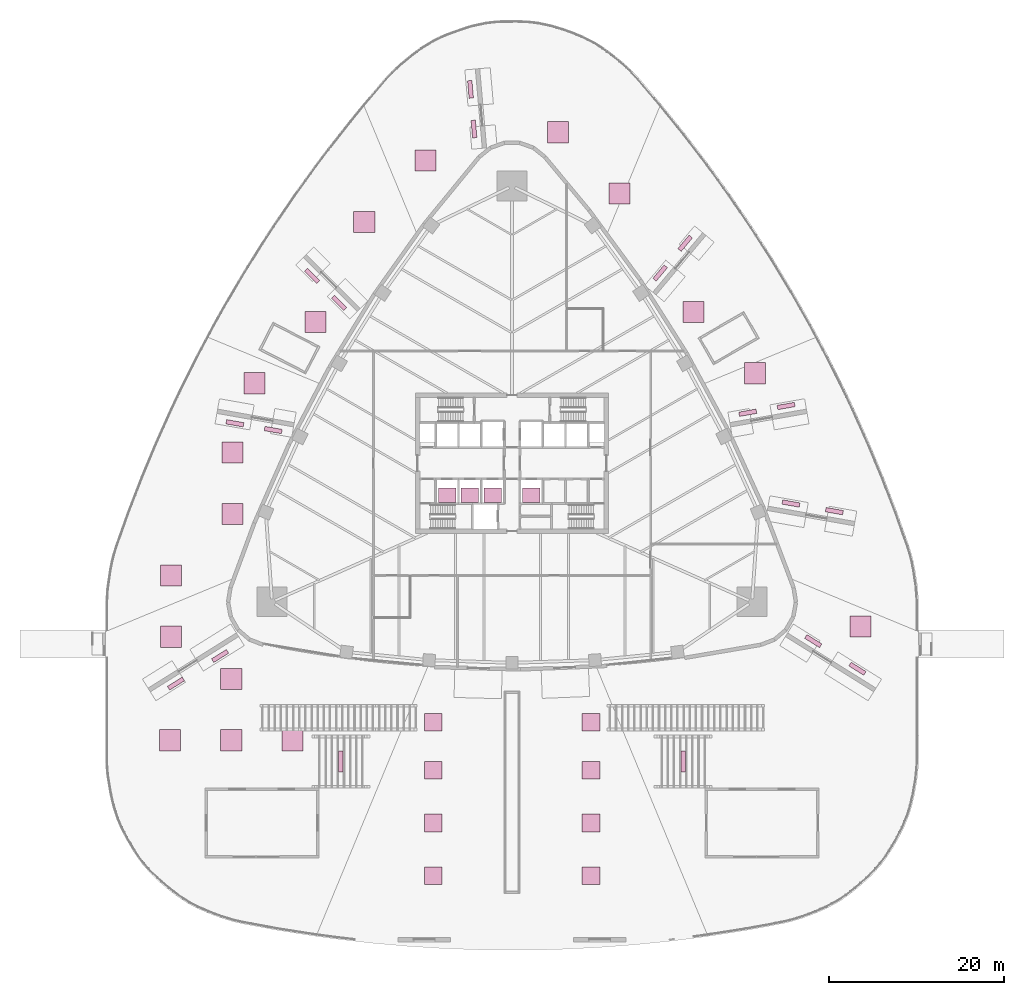
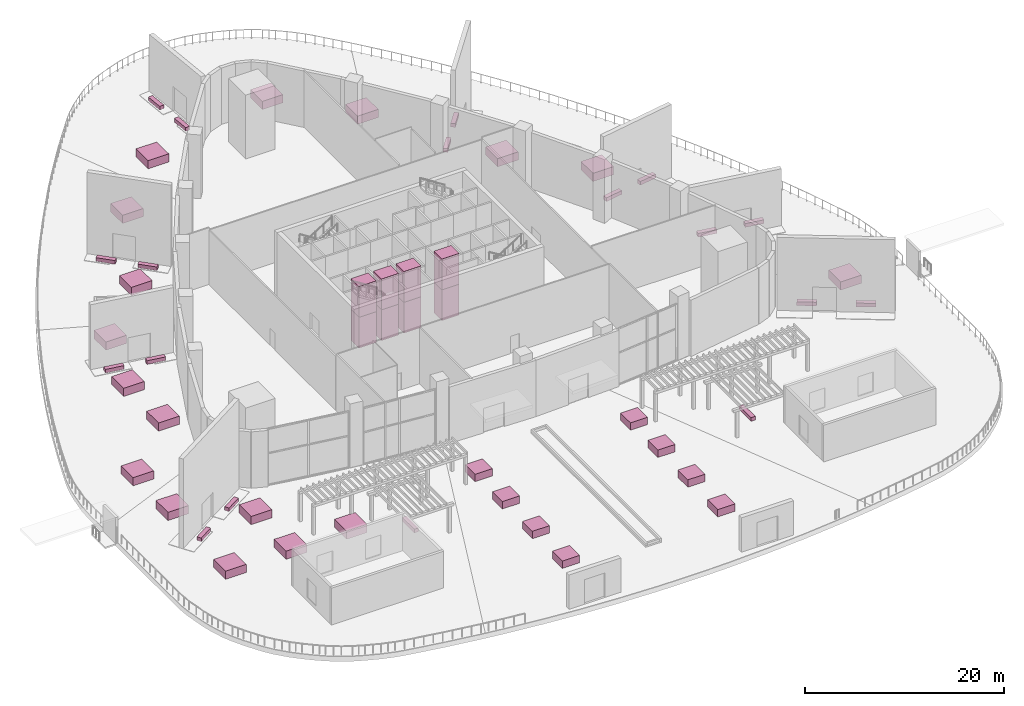
# One storey, part 20 of 20: 43 furniture elements, 8 transport elements.
"""IFC4 building model written with IfcOpenShell, lengths in metres."""

import ifcopenshell
import ifcopenshell.guid

model = None  # the IFC model being written
_history = None  # IfcOwnerHistory: only IFC2X3 demands one
_inside = {}  # id of a spatial element -> (the spatial element, [elements in it])
_under = {}  # id of a project, library or spatial element -> (it, [spatial elements below it])
_declared = {}  # id of a project -> (the project, [libraries it declares])
_typed = {}  # id of a type object -> (the type object, [elements of that type])
_made_of = {}  # id of a material, layer set ... -> (it, [elements and type objects made of it])


def new_model(schema):
    """Start an empty IFC model of exactly this schema.

    Asked for "IFC4X3", IfcOpenShell would pick the latest addendum, in which some entities
    have other attributes; the version numbers below select the first issue.
    IFC2X3 requires an IfcOwnerHistory on every rooted entity: one is made here for all.
    """
    global model, _history
    if schema == "IFC4X3":
        model = ifcopenshell.file(schema_version=(4, 3, 0, 0))
    else:
        model = ifcopenshell.file(schema=schema)
    _inside.clear()
    _under.clear()
    _declared.clear()
    _typed.clear()
    _made_of.clear()
    _history = None
    if model.schema == "IFC2X3":
        org = make("IfcOrganization", Name="unknown")
        user = make(
            "IfcPersonAndOrganization",
            ThePerson=make("IfcPerson", FamilyName="unknown"),
            TheOrganization=org,
        )
        app = make(
            "IfcApplication",
            ApplicationDeveloper=org,
            Version="unknown",
            ApplicationFullName="unknown",
            ApplicationIdentifier="unknown",
        )
        _history = make(
            "IfcOwnerHistory",
            OwningUser=user,
            OwningApplication=app,
            ChangeAction="ADDED",
            CreationDate=0,
        )
    return model


def make(cls, **values):
    """One entity of the class cls with the attributes given. An attribute that is None is left unset."""
    return model.create_entity(
        cls, **{name: value for name, value in values.items() if value is not None}
    )


def rooted(cls, **values):
    """An entity with a GlobalId (a new one), such as an element, a storey or a relation."""
    return make(cls, GlobalId=ifcopenshell.guid.new(), OwnerHistory=_history, **values)


def si_unit(unit_type, name, prefix=None):
    """IfcSIUnit, for example si_unit("LENGTHUNIT", "METRE", prefix="MILLI")."""
    return make("IfcSIUnit", UnitType=unit_type, Prefix=prefix, Name=name)


def assignment(units):
    """IfcUnitAssignment: the units of a project."""
    return None if units is None else make("IfcUnitAssignment", Units=units)


def point(xyz):
    """IfcCartesianPoint."""
    return None if xyz is None else make("IfcCartesianPoint", Coordinates=xyz)


def direction(xyz):
    """IfcDirection."""
    return None if xyz is None else make("IfcDirection", DirectionRatios=xyz)


def frame(location, z_axis=None, x_axis=None):
    """IfcAxis2Placement3D, a coordinate frame: its origin and axes. An axis left out is left unset."""
    return make(
        "IfcAxis2Placement3D",
        Location=point(location),
        Axis=direction(z_axis),
        RefDirection=direction(x_axis),
    )


def frame_2d(location, x_axis=None):
    """IfcAxis2Placement2D, a coordinate frame in the plane: its origin and x axis."""
    return make(
        "IfcAxis2Placement2D", Location=point(location), RefDirection=direction(x_axis)
    )


def origin():
    """The frame at (0, 0, 0) with its axes left unset."""
    return frame((0.0, 0.0, 0.0))


def origin_2d():
    """The frame at (0, 0) in the plane with its x axis left unset."""
    return frame_2d((0.0, 0.0))


def place(relative_to, where):
    """IfcLocalPlacement: puts the frame where relative to a parent placement (None: the world)."""
    return make(
        "IfcLocalPlacement", PlacementRelTo=relative_to, RelativePlacement=where
    )


def context(
    kind, dimensions, precision=None, world=None, true_north=None, identifier=None
):
    """IfcGeometricRepresentationContext, for example the 3D "Model" context."""
    return make(
        "IfcGeometricRepresentationContext",
        ContextIdentifier=identifier,
        ContextType=kind,
        CoordinateSpaceDimension=dimensions,
        Precision=precision,
        WorldCoordinateSystem=world,
        TrueNorth=true_north,
    )


def subcontext(parent, identifier, kind, view, scale=None):
    """IfcGeometricRepresentationSubContext, for example "Body" below "Model"."""
    return make(
        "IfcGeometricRepresentationSubContext",
        ContextIdentifier=identifier,
        ContextType=kind,
        ParentContext=parent,
        TargetScale=scale,
        TargetView=view,
    )


def project(units=None, contexts=None):
    """IfcProject with its units and contexts."""
    return rooted(
        "IfcProject",
        Name="project",
        RepresentationContexts=contexts,
        UnitsInContext=assignment(units),
    )


def spatial(cls, under=None, at=None, **own):
    """A site, building, storey or space (cls), placed at a placement, below another one or the project."""
    s = rooted(cls, ObjectPlacement=at, **own)
    if under is not None:
        _under.setdefault(under.id(), (under, []))[1].append(s)
    return s


def profile(cls, at=None, kind="AREA", **sizes):
    """A parametric profile (cls). Its sizes go by their IFC names, for example OverallWidth=200.0."""
    return make(cls, ProfileType=kind, Position=at, **sizes)


def rectangle(**sizes):
    """IfcRectangleProfileDef."""
    return profile("IfcRectangleProfileDef", **sizes)


def extrude(swept, where, along, depth):
    """IfcExtrudedAreaSolid: the profile swept, set in the frame where, extruded along a direction by depth."""
    return make(
        "IfcExtrudedAreaSolid",
        SweptArea=swept,
        Position=where,
        ExtrudedDirection=direction(along),
        Depth=depth,
    )


def shape(context_of_items, identifier, shape_type, items):
    """IfcShapeRepresentation: the items that make up one representation, for example the "Body"."""
    return make(
        "IfcShapeRepresentation",
        ContextOfItems=context_of_items,
        RepresentationIdentifier=identifier,
        RepresentationType=shape_type,
        Items=items,
    )


def material(Name=None, Category=None):
    """IfcMaterial."""
    return make("IfcMaterial", Name=Name, Category=Category)


def made_of(thing, what):
    """Note that an element or type object is made of a material, layer set ...; save() writes the relation."""
    if what is not None:
        _made_of.setdefault(what.id(), (what, []))[1].append(thing)
    return thing


def type_object(cls, material=None, **own):
    """A type object (cls), such as IfcWallType, which elements share."""
    return made_of(rooted(cls, **own), material)


def element(
    cls,
    number,
    at=None,
    inside=None,
    cuts=None,
    type_object=None,
    material=None,
    context=None,
    identifier="Body",
    shape_type=None,
    held_by="IfcProductDefinitionShape",
    body=None,
    shapes=None,
    **own,
):
    """One element of the class cls, such as IfcWall. Its Tag is "e" and its number.

    at: its placement. inside: the storey or other place that contains it. cuts: it is an
    opening in that element (IfcRelVoidsElement). A single representation is given by context,
    identifier, shape_type and body (its items); several are given by shapes. held_by: the class
    of the entity that holds the representations. save() writes the other relations.
    """
    e = rooted(cls, Tag="e%d" % number, ObjectPlacement=at, **own)
    if body is not None:
        shapes = [shape(context, identifier, shape_type, body)]
    if shapes is not None:
        e.Representation = make(held_by, Representations=shapes)
    if inside is not None:
        _inside.setdefault(inside.id(), (inside, []))[1].append(e)
    if cuts is not None:
        rooted(
            "IfcRelVoidsElement", RelatingBuildingElement=cuts, RelatedOpeningElement=e
        )
    if type_object is not None:
        _typed.setdefault(type_object.id(), (type_object, []))[1].append(e)
    return made_of(e, material)


def aggregate(whole, parts):
    """IfcRelAggregates: a whole, such as a stair, and the parts it consists of."""
    return rooted("IfcRelAggregates", RelatingObject=whole, RelatedObjects=parts)


def save(model, path):
    """Write the relations noted so far, then the file.

    IfcRelAggregates (storeys below a building ...), IfcRelContainedInSpatialStructure (elements
    in a storey), IfcRelDefinesByType, IfcRelAssociatesMaterial and IfcRelDeclares: one each for
    every whole, place, type object, material and project.
    """
    for whole, parts in _under.values():
        aggregate(whole, parts)
    for where, things in _inside.values():
        rooted(
            "IfcRelContainedInSpatialStructure",
            RelatedElements=things,
            RelatingStructure=where,
        )
    for kind, things in _typed.values():
        rooted("IfcRelDefinesByType", RelatedObjects=things, RelatingType=kind)
    for what, things in _made_of.values():
        rooted("IfcRelAssociatesMaterial", RelatedObjects=things, RelatingMaterial=what)
    for by, libraries in _declared.values():
        rooted("IfcRelDeclares", RelatingContext=by, RelatedDefinitions=libraries)
    model.write(path)


model = new_model("IFC4")

# Units and contexts
model_context = context("Model", 3, precision=1e-05, world=origin(), true_north=direction((0.0, 1.0)))
body_context = subcontext(model_context, "Body", "Model", "MODEL_VIEW")
ifc_project = project(units=[si_unit("LENGTHUNIT", "METRE"), si_unit("AREAUNIT", "SQUARE_METRE"), si_unit("VOLUMEUNIT", "CUBIC_METRE"), si_unit("PLANEANGLEUNIT", "RADIAN"), si_unit("MASSUNIT", "GRAM", prefix="KILO")], contexts=[model_context])

# Site, building, storey
site_placement = place(None, origin())
site = spatial("IfcSite", under=ifc_project, at=site_placement, CompositionType="ELEMENT")
building_placement = place(site_placement, origin())
building = spatial("IfcBuilding", under=site, at=building_placement, Name="Sierra Prisma Convention Tower", CompositionType="ELEMENT")
storey_placement = place(building_placement, frame((0.0, 0.0, 9.0)))
storey = spatial("IfcBuildingStorey", under=building, at=storey_placement, Name="L01", CompositionType="ELEMENT", Elevation=9.0)

# Transport elements
ifc_material = material(Name="Stainless steel", Category="steel")
transport_element_type = type_object("IfcTransportElementType", Name="Lift car podium 2000x1600 1600 kg", PredefinedType="ELEVATOR", material=ifc_material)
for number, where, z_axis, x_axis, name in (
    (1, (-7.39990234375, -3.64990234375, 0.0), (0.0, 0.0, 1.0), (1.0, 0.0, 0.0), "Lift PD1"),
    (2, (-7.39990234375, -3.64990234375, 3.775146484375), (0.0, 0.0, 1.0), (1.0, 0.0, 0.0), "Lift PD1"),
    (3, (-4.800048828125, -3.64990234375, 0.0), (0.0, 0.0, 1.0), (1.0, 0.0, 0.0), "Lift PD2"),
    (4, (-4.800048828125, -3.64990234375, 3.775146484375), (0.0, 0.0, 1.0), (1.0, 0.0, 0.0), "Lift PD2"),
    (5, (-2.199951171875, -3.64990234375, 0.0), (0.0, 0.0, 1.0), (1.0, 0.0, 0.0), "Lift PD3"),
    (6, (-2.199951171875, -3.64990234375, 3.775146484375), (0.0, 0.0, 1.0), (1.0, 0.0, 0.0), "Lift PD3"),
    (7, (2.199951171875, -3.64990234375, 0.0), (0.0, 0.0, 1.0), (1.0, 0.0, 0.0), "Lift PD4"),
    (8, (2.199951171875, -3.64990234375, 3.775146484375), (0.0, 0.0, 1.0), (1.0, 0.0, 0.0), "Lift PD4"),
):
    element("IfcTransportElement", number, at=place(storey_placement, frame(where, z_axis=z_axis, x_axis=x_axis)), inside=storey, type_object=transport_element_type, Name=name, PredefinedType="ELEVATOR", context=body_context, shape_type="SweptSolid", body=[
        extrude(rectangle(XDim=2.0, YDim=1.60009765625, at=origin_2d()), origin(), (0.0, 0.0, 1.0), 3.77490234375),
    ])

# Furniture
for number, where, z_axis, x_axis, name in (
    (9, (-19.5, -34.0, 0.0), (0.0, 0.0, 1.0), (0.0, 1.0, 0.0), "Bench"),
    (10, (19.5, -34.0, 0.0), (0.0, 0.0, 1.0), (0.0, 1.0, 0.0), "Bench"),
):
    element("IfcFurniture", number, at=place(storey_placement, frame(where, z_axis=z_axis, x_axis=x_axis)), inside=storey, Name=name, PredefinedType="NOTDEFINED", context=body_context, shape_type="SweptSolid", body=[
        extrude(rectangle(XDim=2.39990234375, YDim=0.5, at=origin_2d()), origin(), (0.0, 0.0, 1.0), 0.449951171875),
    ])
for number, where, z_axis, x_axis, name in (
    (11, (20.68896484375, 17.2548828125, 0.0), (0.0, 0.0, 1.0), (1.0, 0.0, 0.0), "PLANTER 001 tree planter"),
    (12, (27.68896484375, 10.2548828125, 0.0), (0.0, 0.0, 1.0), (1.0, 0.0, 0.0), "PLANTER 002 tree planter"),
    (13, (5.251953125, 37.721923828125, 0.0), (0.0, 0.0, 1.0), (1.0, 0.0, 0.0), "PLANTER 003 tree planter"),
    (14, (12.251953125, 30.721923828125, 0.0), (0.0, 0.0, 1.0), (1.0, 0.0, 0.0), "PLANTER 004 tree planter"),
    (15, (-16.839111328125, 27.487060546875, 0.0), (0.0, 0.0, 1.0), (1.0, 0.0, 0.0), "PLANTER 005 tree planter"),
    (16, (-9.839111328125, 34.487060546875, 0.0), (0.0, 0.0, 1.0), (1.0, 0.0, 0.0), "PLANTER 006 tree planter"),
    (17, (-29.3740234375, 9.115966796875, 0.0), (0.0, 0.0, 1.0), (1.0, 0.0, 0.0), "PLANTER 007 tree planter"),
    (18, (-22.3740234375, 16.115966796875, 0.0), (0.0, 0.0, 1.0), (1.0, 0.0, 0.0), "PLANTER 008 tree planter"),
    (19, (-38.866943359375, -19.77197265625, 0.0), (0.0, 0.0, 1.0), (1.0, 0.0, 0.0), "PLANTER 009 tree planter"),
    (20, (-38.866943359375, -12.77197265625, 0.0), (0.0, 0.0, 1.0), (1.0, 0.0, 0.0), "PLANTER 010 tree planter"),
    (21, (-31.866943359375, -5.77197265625, 0.0), (0.0, 0.0, 1.0), (1.0, 0.0, 0.0), "PLANTER 011 tree planter"),
    (22, (-31.866943359375, 1.22802734375, 0.0), (0.0, 0.0, 1.0), (1.0, 0.0, 0.0), "PLANTER 012 tree planter"),
    (23, (-38.9990234375, -31.572998046875, 0.0), (0.0, 0.0, 1.0), (1.0, 0.0, 0.0), "PLANTER 013 tree planter"),
    (24, (-31.9990234375, -31.572998046875, 0.0), (0.0, 0.0, 1.0), (1.0, 0.0, 0.0), "PLANTER 014 tree planter"),
    (25, (-31.9990234375, -24.572998046875, 0.0), (0.0, 0.0, 1.0), (1.0, 0.0, 0.0), "PLANTER 015 tree planter"),
    (26, (-24.9990234375, -31.572998046875, 0.0), (0.0, 0.0, 1.0), (1.0, 0.0, 0.0), "PLANTER 016 tree planter"),
    (27, (39.705078125, -18.618896484375, 0.0), (0.0, 0.0, 1.0), (1.0, 0.0, 0.0), "PLANTER 017 tree planter"),
):
    element("IfcFurniture", number, at=place(storey_placement, frame(where, z_axis=z_axis, x_axis=x_axis)), inside=storey, Name=name, PredefinedType="NOTDEFINED", context=body_context, shape_type="SweptSolid", body=[
        extrude(rectangle(XDim=2.39990234375, YDim=2.39990234375, at=origin_2d()), origin(), (0.0, 0.0, 1.0), 1.0),
    ])
for number, where, z_axis, x_axis, name in (
    (28, (-9.0, -47.0, 0.0), (0.0, 0.0, 1.0), (1.0, 0.0, 0.0), "PLANTER 018 tree planter"),
    (29, (-9.0, -41.0, 0.0), (0.0, 0.0, 1.0), (1.0, 0.0, 0.0), "PLANTER 019 tree planter"),
    (30, (-9.0, -35.0, 0.0), (0.0, 0.0, 1.0), (1.0, 0.0, 0.0), "PLANTER 020 tree planter"),
    (31, (-9.0, -29.5, 0.0), (0.0, 0.0, 1.0), (1.0, 0.0, 0.0), "PLANTER 021 tree planter"),
    (32, (9.0, -47.0, 0.0), (0.0, 0.0, 1.0), (1.0, 0.0, 0.0), "PLANTER 022 tree planter"),
    (33, (9.0, -41.0, 0.0), (0.0, 0.0, 1.0), (1.0, 0.0, 0.0), "PLANTER 023 tree planter"),
    (34, (9.0, -35.0, 0.0), (0.0, 0.0, 1.0), (1.0, 0.0, 0.0), "PLANTER 024 tree planter"),
    (35, (9.0, -29.5, 0.0), (0.0, 0.0, 1.0), (1.0, 0.0, 0.0), "PLANTER 025 tree planter"),
):
    element("IfcFurniture", number, at=place(storey_placement, frame(where, z_axis=z_axis, x_axis=x_axis)), inside=storey, Name=name, PredefinedType="NOTDEFINED", context=body_context, shape_type="SweptSolid", body=[
        extrude(rectangle(XDim=2.0, YDim=2.0, at=origin_2d()), origin(), (0.0, 0.0, 1.0), 0.89990234375),
    ])
for number, where, z_axis, x_axis, name in (
    (36, (26.867919921875, 5.7529296875, 0.0), (0.0, 0.0, 1.0), (0.984807753012, 0.173648177667, 0.0), "Bench"),
    (37, (31.235107421875, 6.52294921875, 0.0), (0.0, 0.0, 1.0), (0.984807753012, 0.173648177667, 0.0), "Bench"),
    (38, (16.882080078125, 21.675048828125, 0.0), (0.0, 0.0, 1.0), (0.642787609687, 0.766044443119, 0.0), "Bench"),
    (39, (19.72802734375, 25.06689453125, 0.0), (0.0, 0.0, 1.0), (0.642787609687, 0.766044443119, 0.0), "Bench"),
    (40, (-4.3359375, 38.089111328125, 0.0), (0.0, 0.0, 1.0), (-0.087155742748, 0.996194698092, 0.0), "Bench"),
    (41, (-4.73095703125, 42.60595703125, 0.0), (0.0, 0.0, 1.0), (-0.087155742748, 0.996194698092, 0.0), "Bench"),
    (42, (-19.700927734375, 18.287109375, 0.0), (0.0, 0.0, 1.0), (-0.707106781187, 0.707106781187, 0.0), "Bench"),
    (43, (-22.778076171875, 21.364013671875, 0.0), (0.0, 0.0, 1.0), (-0.707106781187, 0.707106781187, 0.0), "Bench"),
    (44, (-27.216064453125, 3.782958984375, 0.0), (0.0, 0.0, 1.0), (-0.984807753012, 0.173648177667, 0.0), "Bench"),
    (45, (-31.5830078125, 4.552978515625, 0.0), (0.0, 0.0, 1.0), (-0.984807753012, 0.173648177667, 0.0), "Bench"),
    (46, (-33.27001953125, -21.968994140625, 0.0), (0.0, 0.0, 1.0), (-0.848048096156, -0.529919264233, 0.0), "Bench"),
    (47, (-38.306884765625, -25.115966796875, 0.0), (0.0, 0.0, 1.0), (-0.848048096156, -0.529919264233, 0.0), "Bench"),
    (48, (34.3291015625, -20.27197265625, 0.0), (0.0, 0.0, 1.0), (0.848048096156, -0.529919264233, 0.0), "Bench"),
    (49, (39.364013671875, -23.41796875, 0.0), (0.0, 0.0, 1.0), (0.848048096156, -0.529919264233, 0.0), "Bench"),
    (50, (31.7890625, -4.590087890625, 0.0), (0.0, 0.0, 1.0), (0.984807753012, -0.173648177667, 0.0), "Bench"),
    (51, (36.737060546875, -5.4619140625, 0.0), (0.0, 0.0, 1.0), (0.984807753012, -0.173648177667, 0.0), "Bench"),
):
    element("IfcFurniture", number, at=place(storey_placement, frame(where, z_axis=z_axis, x_axis=x_axis)), inside=storey, Name=name, PredefinedType="NOTDEFINED", context=body_context, shape_type="SweptSolid", body=[
        extrude(rectangle(XDim=2.0, YDim=0.5, at=origin_2d()), origin(), (0.0, 0.0, 1.0), 0.449951171875),
    ])

save(model, "model.ifc")
